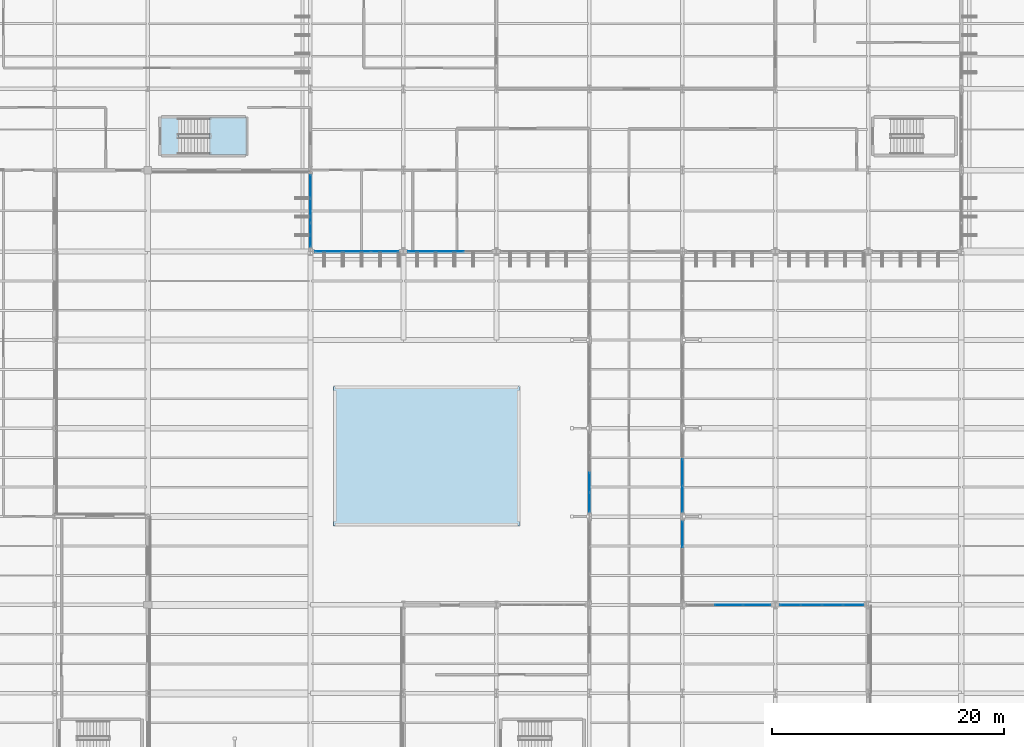
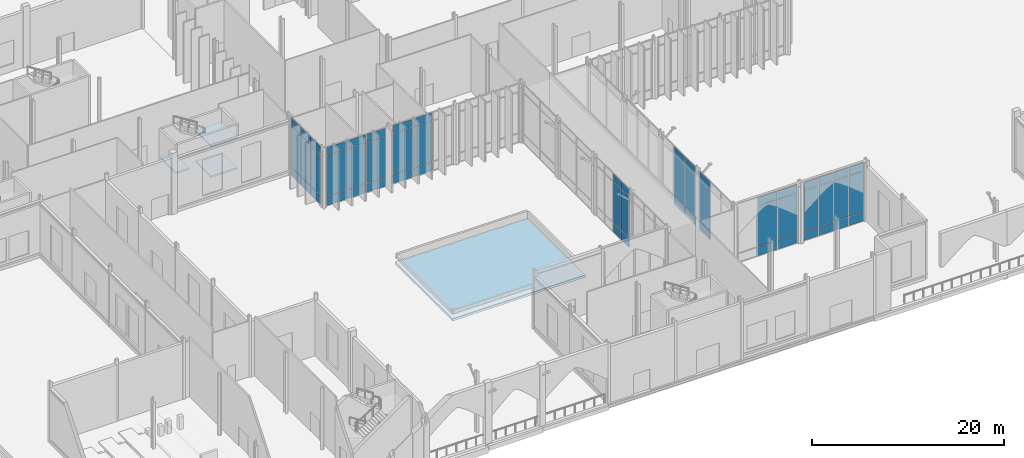
# One storey, part 117 of 176: 57 plates, 4 slabs, 9 elements without a shape of their own.
"""IFC4 building model written with IfcOpenShell, lengths in metres."""

import ifcopenshell
import ifcopenshell.guid

model = None  # the IFC model being written
_history = None  # IfcOwnerHistory: only IFC2X3 demands one
_inside = {}  # id of a spatial element -> (the spatial element, [elements in it])
_under = {}  # id of a project, library or spatial element -> (it, [spatial elements below it])
_declared = {}  # id of a project -> (the project, [libraries it declares])
_typed = {}  # id of a type object -> (the type object, [elements of that type])
_made_of = {}  # id of a material, layer set ... -> (it, [elements and type objects made of it])


def new_model(schema):
    """Start an empty IFC model of exactly this schema.

    Asked for "IFC4X3", IfcOpenShell would pick the latest addendum, in which some entities
    have other attributes; the version numbers below select the first issue.
    IFC2X3 requires an IfcOwnerHistory on every rooted entity: one is made here for all.
    """
    global model, _history
    if schema == "IFC4X3":
        model = ifcopenshell.file(schema_version=(4, 3, 0, 0))
    else:
        model = ifcopenshell.file(schema=schema)
    _inside.clear()
    _under.clear()
    _declared.clear()
    _typed.clear()
    _made_of.clear()
    _history = None
    if model.schema == "IFC2X3":
        org = make("IfcOrganization", Name="unknown")
        user = make(
            "IfcPersonAndOrganization",
            ThePerson=make("IfcPerson", FamilyName="unknown"),
            TheOrganization=org,
        )
        app = make(
            "IfcApplication",
            ApplicationDeveloper=org,
            Version="unknown",
            ApplicationFullName="unknown",
            ApplicationIdentifier="unknown",
        )
        _history = make(
            "IfcOwnerHistory",
            OwningUser=user,
            OwningApplication=app,
            ChangeAction="ADDED",
            CreationDate=0,
        )
    return model


def make(cls, **values):
    """One entity of the class cls with the attributes given. An attribute that is None is left unset."""
    return model.create_entity(
        cls, **{name: value for name, value in values.items() if value is not None}
    )


def rooted(cls, **values):
    """An entity with a GlobalId (a new one), such as an element, a storey or a relation."""
    return make(cls, GlobalId=ifcopenshell.guid.new(), OwnerHistory=_history, **values)


def si_unit(unit_type, name, prefix=None):
    """IfcSIUnit, for example si_unit("LENGTHUNIT", "METRE", prefix="MILLI")."""
    return make("IfcSIUnit", UnitType=unit_type, Prefix=prefix, Name=name)


def assignment(units):
    """IfcUnitAssignment: the units of a project."""
    return None if units is None else make("IfcUnitAssignment", Units=units)


def point(xyz):
    """IfcCartesianPoint."""
    return None if xyz is None else make("IfcCartesianPoint", Coordinates=xyz)


def direction(xyz):
    """IfcDirection."""
    return None if xyz is None else make("IfcDirection", DirectionRatios=xyz)


def frame(location, z_axis=None, x_axis=None):
    """IfcAxis2Placement3D, a coordinate frame: its origin and axes. An axis left out is left unset."""
    return make(
        "IfcAxis2Placement3D",
        Location=point(location),
        Axis=direction(z_axis),
        RefDirection=direction(x_axis),
    )


def frame_2d(location, x_axis=None):
    """IfcAxis2Placement2D, a coordinate frame in the plane: its origin and x axis."""
    return make(
        "IfcAxis2Placement2D", Location=point(location), RefDirection=direction(x_axis)
    )


def origin():
    """The frame at (0, 0, 0) with its axes left unset."""
    return frame((0.0, 0.0, 0.0))


def origin_2d():
    """The frame at (0, 0) in the plane with its x axis left unset."""
    return frame_2d((0.0, 0.0))


def place(relative_to, where):
    """IfcLocalPlacement: puts the frame where relative to a parent placement (None: the world)."""
    return make(
        "IfcLocalPlacement", PlacementRelTo=relative_to, RelativePlacement=where
    )


def context(
    kind, dimensions, precision=None, world=None, true_north=None, identifier=None
):
    """IfcGeometricRepresentationContext, for example the 3D "Model" context."""
    return make(
        "IfcGeometricRepresentationContext",
        ContextIdentifier=identifier,
        ContextType=kind,
        CoordinateSpaceDimension=dimensions,
        Precision=precision,
        WorldCoordinateSystem=world,
        TrueNorth=true_north,
    )


def subcontext(parent, identifier, kind, view, scale=None):
    """IfcGeometricRepresentationSubContext, for example "Body" below "Model"."""
    return make(
        "IfcGeometricRepresentationSubContext",
        ContextIdentifier=identifier,
        ContextType=kind,
        ParentContext=parent,
        TargetScale=scale,
        TargetView=view,
    )


def project(units=None, contexts=None):
    """IfcProject with its units and contexts."""
    return rooted(
        "IfcProject",
        Name="project",
        RepresentationContexts=contexts,
        UnitsInContext=assignment(units),
    )


def spatial(cls, under=None, at=None, **own):
    """A site, building, storey or space (cls), placed at a placement, below another one or the project."""
    s = rooted(cls, ObjectPlacement=at, **own)
    if under is not None:
        _under.setdefault(under.id(), (under, []))[1].append(s)
    return s


def polyline(points):
    """IfcPolyline through the points."""
    return make("IfcPolyline", Points=[point(p) for p in points])


def profile(cls, at=None, kind="AREA", **sizes):
    """A parametric profile (cls). Its sizes go by their IFC names, for example OverallWidth=200.0."""
    return make(cls, ProfileType=kind, Position=at, **sizes)


def rectangle(**sizes):
    """IfcRectangleProfileDef."""
    return profile("IfcRectangleProfileDef", **sizes)


def outline(outer, holes=None, kind="AREA"):
    """IfcArbitraryClosedProfileDef: a profile drawn as a closed curve; with holes, ...WithVoids."""
    if holes is None:
        return make("IfcArbitraryClosedProfileDef", ProfileType=kind, OuterCurve=outer)
    return make(
        "IfcArbitraryProfileDefWithVoids",
        ProfileType=kind,
        OuterCurve=outer,
        InnerCurves=holes,
    )


def extrude(swept, where, along, depth):
    """IfcExtrudedAreaSolid: the profile swept, set in the frame where, extruded along a direction by depth."""
    return make(
        "IfcExtrudedAreaSolid",
        SweptArea=swept,
        Position=where,
        ExtrudedDirection=direction(along),
        Depth=depth,
    )


def shape(context_of_items, identifier, shape_type, items):
    """IfcShapeRepresentation: the items that make up one representation, for example the "Body"."""
    return make(
        "IfcShapeRepresentation",
        ContextOfItems=context_of_items,
        RepresentationIdentifier=identifier,
        RepresentationType=shape_type,
        Items=items,
    )


def material(Name=None, Category=None):
    """IfcMaterial."""
    return make("IfcMaterial", Name=Name, Category=Category)


def layer(
    of_material, thickness, ventilated=None, Name=None, Category=None, Priority=None
):
    """IfcMaterialLayer: one layer of a wall or slab, of a material (None: an air gap)."""
    return make(
        "IfcMaterialLayer",
        Material=of_material,
        LayerThickness=thickness,
        IsVentilated=ventilated,
        Name=Name,
        Category=Category,
        Priority=Priority,
    )


def layer_set(layers, Name=None):
    """IfcMaterialLayerSet."""
    return make("IfcMaterialLayerSet", MaterialLayers=layers, LayerSetName=Name)


def made_of(thing, what):
    """Note that an element or type object is made of a material, layer set ...; save() writes the relation."""
    if what is not None:
        _made_of.setdefault(what.id(), (what, []))[1].append(thing)
    return thing


def type_object(cls, material=None, **own):
    """A type object (cls), such as IfcWallType, which elements share."""
    return made_of(rooted(cls, **own), material)


def element(
    cls,
    number,
    at=None,
    inside=None,
    cuts=None,
    type_object=None,
    material=None,
    context=None,
    identifier="Body",
    shape_type=None,
    held_by="IfcProductDefinitionShape",
    body=None,
    shapes=None,
    **own,
):
    """One element of the class cls, such as IfcWall. Its Tag is "e" and its number.

    at: its placement. inside: the storey or other place that contains it. cuts: it is an
    opening in that element (IfcRelVoidsElement). A single representation is given by context,
    identifier, shape_type and body (its items); several are given by shapes. held_by: the class
    of the entity that holds the representations. save() writes the other relations.
    """
    e = rooted(cls, Tag="e%d" % number, ObjectPlacement=at, **own)
    if body is not None:
        shapes = [shape(context, identifier, shape_type, body)]
    if shapes is not None:
        e.Representation = make(held_by, Representations=shapes)
    if inside is not None:
        _inside.setdefault(inside.id(), (inside, []))[1].append(e)
    if cuts is not None:
        rooted(
            "IfcRelVoidsElement", RelatingBuildingElement=cuts, RelatedOpeningElement=e
        )
    if type_object is not None:
        _typed.setdefault(type_object.id(), (type_object, []))[1].append(e)
    return made_of(e, material)


def aggregate(whole, parts):
    """IfcRelAggregates: a whole, such as a stair, and the parts it consists of."""
    return rooted("IfcRelAggregates", RelatingObject=whole, RelatedObjects=parts)


def save(model, path):
    """Write the relations noted so far, then the file.

    IfcRelAggregates (storeys below a building ...), IfcRelContainedInSpatialStructure (elements
    in a storey), IfcRelDefinesByType, IfcRelAssociatesMaterial and IfcRelDeclares: one each for
    every whole, place, type object, material and project.
    """
    for whole, parts in _under.values():
        aggregate(whole, parts)
    for where, things in _inside.values():
        rooted(
            "IfcRelContainedInSpatialStructure",
            RelatedElements=things,
            RelatingStructure=where,
        )
    for kind, things in _typed.values():
        rooted("IfcRelDefinesByType", RelatedObjects=things, RelatingType=kind)
    for what, things in _made_of.values():
        rooted("IfcRelAssociatesMaterial", RelatedObjects=things, RelatingMaterial=what)
    for by, libraries in _declared.values():
        rooted("IfcRelDeclares", RelatingContext=by, RelatedDefinitions=libraries)
    model.write(path)


model = new_model("IFC4")

# Units and contexts
model_context = context("Model", 3, precision=1e-05, world=origin(), true_north=direction((0.0, 1.0)))
body_context = subcontext(model_context, "Body", "Model", "MODEL_VIEW")
ifc_project = project(units=[si_unit("LENGTHUNIT", "METRE"), si_unit("AREAUNIT", "SQUARE_METRE"), si_unit("VOLUMEUNIT", "CUBIC_METRE"), si_unit("PLANEANGLEUNIT", "RADIAN"), si_unit("MASSUNIT", "GRAM", prefix="KILO")], contexts=[model_context])

# Site, building, storey
site_placement = place(None, origin())
site = spatial("IfcSite", under=ifc_project, at=site_placement, CompositionType="ELEMENT")
building_placement = place(site_placement, origin())
building = spatial("IfcBuilding", under=site, at=building_placement, Name="Vekula Escarpment Museum", CompositionType="ELEMENT")
storey_placement = place(building_placement, origin())
storey = spatial("IfcBuildingStorey", under=building, at=storey_placement, Name="L01", CompositionType="ELEMENT", Elevation=0.0)

# Curtain wall, plates
ifc_material_1 = material(Name="Aluminium thermally broken framing", Category="aluminium")
ifc_layer_1 = layer(ifc_material_1, 0.199951171875)
ifc_layer_set_1 = layer_set([ifc_layer_1], Name="Aluminium thermally broken framing")
curtain_wall_type_1 = type_object("IfcCurtainWallType", Name="CW-SYS-04", PredefinedType="NOTDEFINED", material=ifc_layer_set_1)
curtain_wall_1_placement = place(storey_placement, origin())
curtain_wall_1 = element("IfcCurtainWall", 1, at=curtain_wall_1_placement, inside=storey, type_object=curtain_wall_type_1, Name="Curtain Wall CW-L01-004", PredefinedType="NOTDEFINED")
ifc_material_2 = material(Name="Double solar-control low-E glass", Category="glass")
ifc_layer_2 = layer(ifc_material_2, 0.028076171875)
ifc_layer_set_2 = layer_set([ifc_layer_2], Name="Double solar-control low-E glass")
plate_type_1 = type_object("IfcPlateType", Name="CW-PNL-28", PredefinedType="CURTAIN_PANEL", material=ifc_layer_set_2)
plate_1_placement = place(storey_placement, frame((102.0, 24.322998046875, 0.06494140625), z_axis=(0.0, 0.0, 1.0), x_axis=(0.0, 1.0, 0.0)))
plate_1 = element("IfcPlate", 2, at=plate_1_placement, type_object=plate_type_1, Name="CW-04 panel 1.1", PredefinedType="CURTAIN_PANEL", context=body_context, shape_type="SweptSolid", body=[
    extrude(rectangle(XDim=2.19580078125, YDim=0.028076171875, at=origin_2d()), origin(), (0.0, 0.0, 1.0), 1.1025390625),
])
plate_2_placement = place(storey_placement, frame((102.0, 24.322998046875, 1.232421875), z_axis=(0.0, 0.0, 1.0), x_axis=(0.0, 1.0, 0.0)))
plate_2 = element("IfcPlate", 3, at=plate_2_placement, type_object=plate_type_1, Name="CW-04 panel 1.2", PredefinedType="CURTAIN_PANEL", context=body_context, shape_type="SweptSolid", body=[
    extrude(rectangle(XDim=2.19580078125, YDim=0.028076171875, at=origin_2d()), origin(), (0.0, 0.0, 1.0), 5.175048828125),
])
plate_3_placement = place(storey_placement, frame((102.0, 24.322998046875, 6.472412109375), z_axis=(0.0, 0.0, 1.0), x_axis=(0.0, 1.0, 0.0)))
plate_3 = element("IfcPlate", 4, at=plate_3_placement, type_object=plate_type_1, Name="CW-04 panel 1.3", PredefinedType="CURTAIN_PANEL", context=body_context, shape_type="SweptSolid", body=[
    extrude(rectangle(XDim=2.19580078125, YDim=0.028076171875, at=origin_2d()), origin(), (0.0, 0.0, 1.0), 1.00244140625),
])
plate_4_placement = place(storey_placement, frame((102.0, 26.60009765625, 0.06494140625), z_axis=(0.0, 0.0, 1.0), x_axis=(0.0, 1.0, 0.0)))
plate_4 = element("IfcPlate", 5, at=plate_4_placement, type_object=plate_type_1, Name="CW-04 panel 2.1", PredefinedType="CURTAIN_PANEL", context=body_context, shape_type="SweptSolid", body=[
    extrude(rectangle(XDim=2.228271484375, YDim=0.028076171875, at=origin_2d()), origin(), (0.0, 0.0, 1.0), 1.1025390625),
])
plate_5_placement = place(storey_placement, frame((102.0, 26.60009765625, 1.232421875), z_axis=(0.0, 0.0, 1.0), x_axis=(0.0, 1.0, 0.0)))
plate_5 = element("IfcPlate", 6, at=plate_5_placement, type_object=plate_type_1, Name="CW-04 panel 2.2", PredefinedType="CURTAIN_PANEL", context=body_context, shape_type="SweptSolid", body=[
    extrude(rectangle(XDim=2.228271484375, YDim=0.028076171875, at=origin_2d()), origin(), (0.0, 0.0, 1.0), 5.175048828125),
])
plate_6_placement = place(storey_placement, frame((102.0, 26.60009765625, 6.472412109375), z_axis=(0.0, 0.0, 1.0), x_axis=(0.0, 1.0, 0.0)))
plate_6 = element("IfcPlate", 7, at=plate_6_placement, type_object=plate_type_1, Name="CW-04 panel 2.3", PredefinedType="CURTAIN_PANEL", context=body_context, shape_type="SweptSolid", body=[
    extrude(rectangle(XDim=2.228271484375, YDim=0.028076171875, at=origin_2d()), origin(), (0.0, 0.0, 1.0), 1.00244140625),
])
aggregate(curtain_wall_1, [plate_1, plate_2, plate_3, plate_4, plate_5, plate_6])

curtain_wall_2_placement = place(storey_placement, origin())
curtain_wall_2 = element("IfcCurtainWall", 8, at=curtain_wall_2_placement, inside=storey, type_object=curtain_wall_type_1, Name="Curtain Wall CW-L01-044", PredefinedType="NOTDEFINED")
plate_7_placement = place(storey_placement, frame((71.589599609375, 45.60009765625, 0.06494140625), z_axis=(0.0, 0.0, 1.0), x_axis=(1.0, 0.0, 0.0)))
plate_7 = element("IfcPlate", 9, at=plate_7_placement, type_object=plate_type_1, Name="CW-04 panel 1.1", PredefinedType="CURTAIN_PANEL", context=body_context, shape_type="SweptSolid", body=[
    extrude(rectangle(XDim=2.3291015625, YDim=0.028076171875, at=origin_2d()), origin(), (0.0, 0.0, 1.0), 1.1025390625),
])
plate_8_placement = place(storey_placement, frame((71.589599609375, 45.60009765625, 1.232421875), z_axis=(0.0, 0.0, 1.0), x_axis=(1.0, 0.0, 0.0)))
plate_8 = element("IfcPlate", 10, at=plate_8_placement, type_object=plate_type_1, Name="CW-04 panel 1.2", PredefinedType="CURTAIN_PANEL", context=body_context, shape_type="SweptSolid", body=[
    extrude(rectangle(XDim=2.3291015625, YDim=0.028076171875, at=origin_2d()), origin(), (0.0, 0.0, 1.0), 5.175048828125),
])
plate_9_placement = place(storey_placement, frame((71.589599609375, 45.60009765625, 6.472412109375), z_axis=(0.0, 0.0, 1.0), x_axis=(1.0, 0.0, 0.0)))
plate_9 = element("IfcPlate", 11, at=plate_9_placement, type_object=plate_type_1, Name="CW-04 panel 1.3", PredefinedType="CURTAIN_PANEL", context=body_context, shape_type="SweptSolid", body=[
    extrude(rectangle(XDim=2.3291015625, YDim=0.028076171875, at=origin_2d()), origin(), (0.0, 0.0, 1.0), 1.00244140625),
])
plate_10_placement = place(storey_placement, frame((74.0, 45.60009765625, 0.06494140625), z_axis=(0.0, 0.0, 1.0), x_axis=(1.0, 0.0, 0.0)))
plate_10 = element("IfcPlate", 12, at=plate_10_placement, type_object=plate_type_1, Name="CW-04 panel 2.1", PredefinedType="CURTAIN_PANEL", context=body_context, shape_type="SweptSolid", body=[
    extrude(rectangle(XDim=2.361572265625, YDim=0.028076171875, at=origin_2d()), origin(), (0.0, 0.0, 1.0), 1.1025390625),
])
plate_11_placement = place(storey_placement, frame((74.0, 45.60009765625, 1.232421875), z_axis=(0.0, 0.0, 1.0), x_axis=(1.0, 0.0, 0.0)))
plate_11 = element("IfcPlate", 13, at=plate_11_placement, type_object=plate_type_1, Name="CW-04 panel 2.2", PredefinedType="CURTAIN_PANEL", context=body_context, shape_type="SweptSolid", body=[
    extrude(rectangle(XDim=2.361572265625, YDim=0.028076171875, at=origin_2d()), origin(), (0.0, 0.0, 1.0), 5.175048828125),
])
plate_12_placement = place(storey_placement, frame((74.0, 45.60009765625, 6.472412109375), z_axis=(0.0, 0.0, 1.0), x_axis=(1.0, 0.0, 0.0)))
plate_12 = element("IfcPlate", 14, at=plate_12_placement, type_object=plate_type_1, Name="CW-04 panel 2.3", PredefinedType="CURTAIN_PANEL", context=body_context, shape_type="SweptSolid", body=[
    extrude(rectangle(XDim=2.361572265625, YDim=0.028076171875, at=origin_2d()), origin(), (0.0, 0.0, 1.0), 1.00244140625),
])
plate_13_placement = place(storey_placement, frame((76.410400390625, 45.60009765625, 0.06494140625), z_axis=(0.0, 0.0, 1.0), x_axis=(1.0, 0.0, 0.0)))
plate_13 = element("IfcPlate", 15, at=plate_13_placement, type_object=plate_type_1, Name="CW-04 panel 3.1", PredefinedType="CURTAIN_PANEL", context=body_context, shape_type="SweptSolid", body=[
    extrude(rectangle(XDim=2.3291015625, YDim=0.028076171875, at=origin_2d()), origin(), (0.0, 0.0, 1.0), 1.1025390625),
])
plate_14_placement = place(storey_placement, frame((76.410400390625, 45.60009765625, 1.232421875), z_axis=(0.0, 0.0, 1.0), x_axis=(1.0, 0.0, 0.0)))
plate_14 = element("IfcPlate", 16, at=plate_14_placement, type_object=plate_type_1, Name="CW-04 panel 3.2", PredefinedType="CURTAIN_PANEL", context=body_context, shape_type="SweptSolid", body=[
    extrude(rectangle(XDim=2.3291015625, YDim=0.028076171875, at=origin_2d()), origin(), (0.0, 0.0, 1.0), 5.175048828125),
])
plate_15_placement = place(storey_placement, frame((76.410400390625, 45.60009765625, 6.472412109375), z_axis=(0.0, 0.0, 1.0), x_axis=(1.0, 0.0, 0.0)))
plate_15 = element("IfcPlate", 17, at=plate_15_placement, type_object=plate_type_1, Name="CW-04 panel 3.3", PredefinedType="CURTAIN_PANEL", context=body_context, shape_type="SweptSolid", body=[
    extrude(rectangle(XDim=2.3291015625, YDim=0.028076171875, at=origin_2d()), origin(), (0.0, 0.0, 1.0), 1.00244140625),
])
aggregate(curtain_wall_2, [plate_7, plate_8, plate_9, plate_10, plate_11, plate_12, plate_13, plate_14, plate_15])

ifc_material_3 = material(Name="Aluminium thermally broken framing", Category="aluminium")
ifc_layer_3 = layer(ifc_material_3, 0.159912109375)
ifc_layer_set_3 = layer_set([ifc_layer_3], Name="Aluminium thermally broken framing")
curtain_wall_type_2 = type_object("IfcCurtainWallType", Name="CW-SYS-01", PredefinedType="NOTDEFINED", material=ifc_layer_set_3)
curtain_wall_3_placement = place(storey_placement, origin())
curtain_wall_3 = element("IfcCurtainWall", 18, at=curtain_wall_3_placement, inside=storey, type_object=curtain_wall_type_2, Name="Curtain Wall CW-L01-001", PredefinedType="NOTDEFINED")
ifc_material_4 = material(Name="Acoustic laminated double low-E glass", Category="glass")
ifc_layer_4 = layer(ifc_material_4, 0.031982421875)
ifc_layer_set_4 = layer_set([ifc_layer_4], Name="Acoustic laminated double low-E glass")
plate_type_2 = type_object("IfcPlateType", Name="CW-PNL-32", PredefinedType="CURTAIN_PANEL", material=ifc_layer_set_4)
plate_16_placement = place(storey_placement, frame((116.7138671875, 15.199951171875, 0.06494140625), z_axis=(0.0, 0.0, 1.0), x_axis=(-1.0, 0.0, 0.0)))
plate_16 = element("IfcPlate", 19, at=plate_16_placement, type_object=plate_type_2, Name="CW-01 panel 1.1", PredefinedType="CURTAIN_PANEL", context=body_context, shape_type="SweptSolid", body=[
    extrude(rectangle(XDim=1.722412109375, YDim=0.031982421875, at=origin_2d()), origin(), (0.0, 0.0, 1.0), 1.1025390625),
])
plate_17_placement = place(storey_placement, frame((116.7138671875, 15.199951171875, 1.232421875), z_axis=(0.0, 0.0, 1.0), x_axis=(-1.0, 0.0, 0.0)))
plate_17 = element("IfcPlate", 20, at=plate_17_placement, type_object=plate_type_2, Name="CW-01 panel 1.2", PredefinedType="CURTAIN_PANEL", context=body_context, shape_type="SweptSolid", body=[
    extrude(rectangle(XDim=1.722412109375, YDim=0.031982421875, at=origin_2d()), origin(), (0.0, 0.0, 1.0), 5.175048828125),
])
plate_18_placement = place(storey_placement, frame((116.7138671875, 15.199951171875, 6.472412109375), z_axis=(0.0, 0.0, 1.0), x_axis=(-1.0, 0.0, 0.0)))
plate_18 = element("IfcPlate", 21, at=plate_18_placement, type_object=plate_type_2, Name="CW-01 panel 1.3", PredefinedType="CURTAIN_PANEL", context=body_context, shape_type="SweptSolid", body=[
    extrude(rectangle(XDim=1.722412109375, YDim=0.031982421875, at=origin_2d()), origin(), (0.0, 0.0, 1.0), 1.00244140625),
])
plate_19_placement = place(storey_placement, frame((114.909912109375, 15.199951171875, 0.06494140625), z_axis=(0.0, 0.0, 1.0), x_axis=(-1.0, 0.0, 0.0)))
plate_19 = element("IfcPlate", 22, at=plate_19_placement, type_object=plate_type_2, Name="CW-01 panel 2.1", PredefinedType="CURTAIN_PANEL", context=body_context, shape_type="SweptSolid", body=[
    extrude(rectangle(XDim=1.7548828125, YDim=0.031982421875, at=origin_2d()), origin(), (0.0, 0.0, 1.0), 1.1025390625),
])
plate_20_placement = place(storey_placement, frame((114.909912109375, 15.199951171875, 1.232421875), z_axis=(0.0, 0.0, 1.0), x_axis=(-1.0, 0.0, 0.0)))
plate_20 = element("IfcPlate", 23, at=plate_20_placement, type_object=plate_type_2, Name="CW-01 panel 2.2", PredefinedType="CURTAIN_PANEL", context=body_context, shape_type="SweptSolid", body=[
    extrude(rectangle(XDim=1.7548828125, YDim=0.031982421875, at=origin_2d()), origin(), (0.0, 0.0, 1.0), 5.175048828125),
])
plate_21_placement = place(storey_placement, frame((114.909912109375, 15.199951171875, 6.472412109375), z_axis=(0.0, 0.0, 1.0), x_axis=(-1.0, 0.0, 0.0)))
plate_21 = element("IfcPlate", 24, at=plate_21_placement, type_object=plate_type_2, Name="CW-01 panel 2.3", PredefinedType="CURTAIN_PANEL", context=body_context, shape_type="SweptSolid", body=[
    extrude(rectangle(XDim=1.7548828125, YDim=0.031982421875, at=origin_2d()), origin(), (0.0, 0.0, 1.0), 1.00244140625),
])
plate_22_placement = place(storey_placement, frame((113.090087890625, 15.199951171875, 0.06494140625), z_axis=(0.0, 0.0, 1.0), x_axis=(-1.0, 0.0, 0.0)))
plate_22 = element("IfcPlate", 25, at=plate_22_placement, type_object=plate_type_2, Name="CW-01 panel 3.1", PredefinedType="CURTAIN_PANEL", context=body_context, shape_type="SweptSolid", body=[
    extrude(rectangle(XDim=1.7548828125, YDim=0.031982421875, at=origin_2d()), origin(), (0.0, 0.0, 1.0), 1.1025390625),
])
plate_23_placement = place(storey_placement, frame((113.090087890625, 15.199951171875, 1.232421875), z_axis=(0.0, 0.0, 1.0), x_axis=(-1.0, 0.0, 0.0)))
plate_23 = element("IfcPlate", 26, at=plate_23_placement, type_object=plate_type_2, Name="CW-01 panel 3.2", PredefinedType="CURTAIN_PANEL", context=body_context, shape_type="SweptSolid", body=[
    extrude(rectangle(XDim=1.7548828125, YDim=0.031982421875, at=origin_2d()), origin(), (0.0, 0.0, 1.0), 5.175048828125),
])
plate_24_placement = place(storey_placement, frame((113.090087890625, 15.199951171875, 6.472412109375), z_axis=(0.0, 0.0, 1.0), x_axis=(-1.0, 0.0, 0.0)))
plate_24 = element("IfcPlate", 27, at=plate_24_placement, type_object=plate_type_2, Name="CW-01 panel 3.3", PredefinedType="CURTAIN_PANEL", context=body_context, shape_type="SweptSolid", body=[
    extrude(rectangle(XDim=1.7548828125, YDim=0.031982421875, at=origin_2d()), origin(), (0.0, 0.0, 1.0), 1.00244140625),
])
plate_25_placement = place(storey_placement, frame((111.2861328125, 15.199951171875, 0.06494140625), z_axis=(0.0, 0.0, 1.0), x_axis=(-1.0, 0.0, 0.0)))
plate_25 = element("IfcPlate", 28, at=plate_25_placement, type_object=plate_type_2, Name="CW-01 panel 4.1", PredefinedType="CURTAIN_PANEL", context=body_context, shape_type="SweptSolid", body=[
    extrude(rectangle(XDim=1.722412109375, YDim=0.031982421875, at=origin_2d()), origin(), (0.0, 0.0, 1.0), 1.1025390625),
])
plate_26_placement = place(storey_placement, frame((111.2861328125, 15.199951171875, 1.232421875), z_axis=(0.0, 0.0, 1.0), x_axis=(-1.0, 0.0, 0.0)))
plate_26 = element("IfcPlate", 29, at=plate_26_placement, type_object=plate_type_2, Name="CW-01 panel 4.2", PredefinedType="CURTAIN_PANEL", context=body_context, shape_type="SweptSolid", body=[
    extrude(rectangle(XDim=1.722412109375, YDim=0.031982421875, at=origin_2d()), origin(), (0.0, 0.0, 1.0), 5.175048828125),
])
plate_27_placement = place(storey_placement, frame((111.2861328125, 15.199951171875, 6.472412109375), z_axis=(0.0, 0.0, 1.0), x_axis=(-1.0, 0.0, 0.0)))
plate_27 = element("IfcPlate", 30, at=plate_27_placement, type_object=plate_type_2, Name="CW-01 panel 4.3", PredefinedType="CURTAIN_PANEL", context=body_context, shape_type="SweptSolid", body=[
    extrude(rectangle(XDim=1.722412109375, YDim=0.031982421875, at=origin_2d()), origin(), (0.0, 0.0, 1.0), 1.00244140625),
])
aggregate(curtain_wall_3, [plate_16, plate_17, plate_18, plate_19, plate_20, plate_21, plate_22, plate_23, plate_24, plate_25, plate_26, plate_27])

ifc_material_5 = material(Name="Aluminium thermally broken framing", Category="aluminium")
ifc_layer_5 = layer(ifc_material_5, 0.159912109375)
ifc_layer_set_5 = layer_set([ifc_layer_5], Name="Aluminium thermally broken framing")
curtain_wall_type_3 = type_object("IfcCurtainWallType", Name="CW-SYS-05", PredefinedType="NOTDEFINED", material=ifc_layer_set_5)
curtain_wall_4_placement = place(storey_placement, origin())
curtain_wall_4 = element("IfcCurtainWall", 31, at=curtain_wall_4_placement, inside=storey, type_object=curtain_wall_type_3, Name="Curtain Wall CW-L01-045", PredefinedType="NOTDEFINED")
plate_28_placement = place(storey_placement, frame((79.589599609375, 45.60009765625, 0.06494140625), z_axis=(0.0, 0.0, 1.0), x_axis=(1.0, 0.0, 0.0)))
plate_28 = element("IfcPlate", 32, at=plate_28_placement, type_object=plate_type_2, Name="CW-05 panel 1.1", PredefinedType="CURTAIN_PANEL", context=body_context, shape_type="SweptSolid", body=[
    extrude(rectangle(XDim=2.3291015625, YDim=0.031982421875, at=origin_2d()), origin(), (0.0, 0.0, 1.0), 1.1025390625),
])
plate_29_placement = place(storey_placement, frame((79.589599609375, 45.60009765625, 1.232421875), z_axis=(0.0, 0.0, 1.0), x_axis=(1.0, 0.0, 0.0)))
plate_29 = element("IfcPlate", 33, at=plate_29_placement, type_object=plate_type_2, Name="CW-05 panel 1.2", PredefinedType="CURTAIN_PANEL", context=body_context, shape_type="SweptSolid", body=[
    extrude(rectangle(XDim=2.3291015625, YDim=0.031982421875, at=origin_2d()), origin(), (0.0, 0.0, 1.0), 5.175048828125),
])
plate_30_placement = place(storey_placement, frame((79.589599609375, 45.60009765625, 6.472412109375), z_axis=(0.0, 0.0, 1.0), x_axis=(1.0, 0.0, 0.0)))
plate_30 = element("IfcPlate", 34, at=plate_30_placement, type_object=plate_type_2, Name="CW-05 panel 1.3", PredefinedType="CURTAIN_PANEL", context=body_context, shape_type="SweptSolid", body=[
    extrude(rectangle(XDim=2.3291015625, YDim=0.031982421875, at=origin_2d()), origin(), (0.0, 0.0, 1.0), 1.00244140625),
])
plate_31_placement = place(storey_placement, frame((82.0, 45.60009765625, 0.06494140625), z_axis=(0.0, 0.0, 1.0), x_axis=(1.0, 0.0, 0.0)))
plate_31 = element("IfcPlate", 35, at=plate_31_placement, type_object=plate_type_2, Name="CW-05 panel 2.1", PredefinedType="CURTAIN_PANEL", context=body_context, shape_type="SweptSolid", body=[
    extrude(rectangle(XDim=2.361572265625, YDim=0.031982421875, at=origin_2d()), origin(), (0.0, 0.0, 1.0), 1.1025390625),
])
plate_32_placement = place(storey_placement, frame((82.0, 45.60009765625, 1.232421875), z_axis=(0.0, 0.0, 1.0), x_axis=(1.0, 0.0, 0.0)))
plate_32 = element("IfcPlate", 36, at=plate_32_placement, type_object=plate_type_2, Name="CW-05 panel 2.2", PredefinedType="CURTAIN_PANEL", context=body_context, shape_type="SweptSolid", body=[
    extrude(rectangle(XDim=2.361572265625, YDim=0.031982421875, at=origin_2d()), origin(), (0.0, 0.0, 1.0), 5.175048828125),
])
plate_33_placement = place(storey_placement, frame((82.0, 45.60009765625, 6.472412109375), z_axis=(0.0, 0.0, 1.0), x_axis=(1.0, 0.0, 0.0)))
plate_33 = element("IfcPlate", 37, at=plate_33_placement, type_object=plate_type_2, Name="CW-05 panel 2.3", PredefinedType="CURTAIN_PANEL", context=body_context, shape_type="SweptSolid", body=[
    extrude(rectangle(XDim=2.361572265625, YDim=0.031982421875, at=origin_2d()), origin(), (0.0, 0.0, 1.0), 1.00244140625),
])
aggregate(curtain_wall_4, [plate_28, plate_29, plate_30, plate_31, plate_32, plate_33])

ifc_material_6 = material(Name="Aluminium thermally broken framing", Category="aluminium")
ifc_layer_6 = layer(ifc_material_6, 0.14990234375)
ifc_layer_set_6 = layer_set([ifc_layer_6], Name="Aluminium thermally broken framing")
curtain_wall_type_4 = type_object("IfcCurtainWallType", Name="CW-SYS-09", PredefinedType="NOTDEFINED", material=ifc_layer_set_6)
curtain_wall_5_placement = place(storey_placement, origin())
curtain_wall_5 = element("IfcCurtainWall", 38, at=curtain_wall_5_placement, inside=storey, type_object=curtain_wall_type_4, Name="Curtain Wall CW-L01-049", PredefinedType="NOTDEFINED")
plate_34_placement = place(storey_placement, frame((94.0, 25.739990234375, 0.06494140625), z_axis=(0.0, 0.0, 1.0), x_axis=(0.0, -1.0, 0.0)))
plate_34 = element("IfcPlate", 39, at=plate_34_placement, type_object=plate_type_2, Name="CW-09 panel 3.1", PredefinedType="CURTAIN_PANEL", context=body_context, shape_type="SweptSolid", body=[
    extrude(rectangle(XDim=1.655029296875, YDim=0.031982421875, at=origin_2d()), origin(), (0.0, 0.0, 1.0), 1.1025390625),
])
plate_35_placement = place(storey_placement, frame((94.0, 25.739990234375, 1.232421875), z_axis=(0.0, 0.0, 1.0), x_axis=(0.0, -1.0, 0.0)))
plate_35 = element("IfcPlate", 40, at=plate_35_placement, type_object=plate_type_2, Name="CW-09 panel 3.2", PredefinedType="CURTAIN_PANEL", context=body_context, shape_type="SweptSolid", body=[
    extrude(rectangle(XDim=1.655029296875, YDim=0.031982421875, at=origin_2d()), origin(), (0.0, 0.0, 1.0), 5.175048828125),
])
plate_36_placement = place(storey_placement, frame((94.0, 25.739990234375, 6.472412109375), z_axis=(0.0, 0.0, 1.0), x_axis=(0.0, -1.0, 0.0)))
plate_36 = element("IfcPlate", 41, at=plate_36_placement, type_object=plate_type_2, Name="CW-09 panel 3.3", PredefinedType="CURTAIN_PANEL", context=body_context, shape_type="SweptSolid", body=[
    extrude(rectangle(XDim=1.655029296875, YDim=0.031982421875, at=origin_2d()), origin(), (0.0, 0.0, 1.0), 1.00244140625),
])
plate_37_placement = place(storey_placement, frame((94.0, 24.0361328125, 0.06494140625), z_axis=(0.0, 0.0, 1.0), x_axis=(0.0, -1.0, 0.0)))
plate_37 = element("IfcPlate", 42, at=plate_37_placement, type_object=plate_type_2, Name="CW-09 panel 4.1", PredefinedType="CURTAIN_PANEL", context=body_context, shape_type="SweptSolid", body=[
    extrude(rectangle(XDim=1.62255859375, YDim=0.031982421875, at=origin_2d()), origin(), (0.0, 0.0, 1.0), 1.1025390625),
])
plate_38_placement = place(storey_placement, frame((94.0, 24.0361328125, 1.232421875), z_axis=(0.0, 0.0, 1.0), x_axis=(0.0, -1.0, 0.0)))
plate_38 = element("IfcPlate", 43, at=plate_38_placement, type_object=plate_type_2, Name="CW-09 panel 4.2", PredefinedType="CURTAIN_PANEL", context=body_context, shape_type="SweptSolid", body=[
    extrude(rectangle(XDim=1.62255859375, YDim=0.031982421875, at=origin_2d()), origin(), (0.0, 0.0, 1.0), 5.175048828125),
])
plate_39_placement = place(storey_placement, frame((94.0, 24.0361328125, 6.472412109375), z_axis=(0.0, 0.0, 1.0), x_axis=(0.0, -1.0, 0.0)))
plate_39 = element("IfcPlate", 44, at=plate_39_placement, type_object=plate_type_2, Name="CW-09 panel 4.3", PredefinedType="CURTAIN_PANEL", context=body_context, shape_type="SweptSolid", body=[
    extrude(rectangle(XDim=1.62255859375, YDim=0.031982421875, at=origin_2d()), origin(), (0.0, 0.0, 1.0), 1.00244140625),
])
aggregate(curtain_wall_5, [plate_34, plate_35, plate_36, plate_37, plate_38, plate_39])

ifc_material_7 = material(Name="Aluminium thermally broken framing", Category="aluminium")
ifc_layer_7 = layer(ifc_material_7, 0.159912109375)
ifc_layer_set_7 = layer_set([ifc_layer_7], Name="Aluminium thermally broken framing")
curtain_wall_type_5 = type_object("IfcCurtainWallType", Name="CW-SYS-02", PredefinedType="NOTDEFINED", material=ifc_layer_set_7)
curtain_wall_6_placement = place(storey_placement, origin())
curtain_wall_6 = element("IfcCurtainWall", 45, at=curtain_wall_6_placement, inside=storey, type_object=curtain_wall_type_5, Name="Curtain Wall CW-L01-002", PredefinedType="NOTDEFINED")
ifc_material_8 = material(Name="Triple UV-filtered museum gallery glass", Category="glass")
ifc_layer_8 = layer(ifc_material_8, 0.035888671875)
ifc_layer_set_8 = layer_set([ifc_layer_8], Name="Triple UV-filtered museum gallery glass")
plate_type_3 = type_object("IfcPlateType", Name="CW-PNL-36", PredefinedType="CURTAIN_PANEL", material=ifc_layer_set_8)
plate_40_placement = place(storey_placement, frame((108.410400390625, 15.199951171875, 0.06494140625), z_axis=(0.0, 0.0, 1.0), x_axis=(-1.0, 0.0, 0.0)))
plate_40 = element("IfcPlate", 46, at=plate_40_placement, type_object=plate_type_3, Name="CW-02 panel 1.1", PredefinedType="CURTAIN_PANEL", context=body_context, shape_type="SweptSolid", body=[
    extrude(rectangle(XDim=2.3291015625, YDim=0.035888671875, at=origin_2d()), origin(), (0.0, 0.0, 1.0), 1.1025390625),
])
plate_41_placement = place(storey_placement, frame((108.410400390625, 15.199951171875, 1.232421875), z_axis=(0.0, 0.0, 1.0), x_axis=(-1.0, 0.0, 0.0)))
plate_41 = element("IfcPlate", 47, at=plate_41_placement, type_object=plate_type_3, Name="CW-02 panel 1.2", PredefinedType="CURTAIN_PANEL", context=body_context, shape_type="SweptSolid", body=[
    extrude(rectangle(XDim=2.3291015625, YDim=0.035888671875, at=origin_2d()), origin(), (0.0, 0.0, 1.0), 5.175048828125),
])
plate_42_placement = place(storey_placement, frame((108.410400390625, 15.199951171875, 6.472412109375), z_axis=(0.0, 0.0, 1.0), x_axis=(-1.0, 0.0, 0.0)))
plate_42 = element("IfcPlate", 48, at=plate_42_placement, type_object=plate_type_3, Name="CW-02 panel 1.3", PredefinedType="CURTAIN_PANEL", context=body_context, shape_type="SweptSolid", body=[
    extrude(rectangle(XDim=2.3291015625, YDim=0.035888671875, at=origin_2d()), origin(), (0.0, 0.0, 1.0), 1.00244140625),
])
plate_43_placement = place(storey_placement, frame((106.0, 15.199951171875, 0.06494140625), z_axis=(0.0, 0.0, 1.0), x_axis=(-1.0, 0.0, 0.0)))
plate_43 = element("IfcPlate", 49, at=plate_43_placement, type_object=plate_type_3, Name="CW-02 panel 2.1", PredefinedType="CURTAIN_PANEL", context=body_context, shape_type="SweptSolid", body=[
    extrude(rectangle(XDim=2.361572265625, YDim=0.035888671875, at=origin_2d()), origin(), (0.0, 0.0, 1.0), 1.1025390625),
])
plate_44_placement = place(storey_placement, frame((106.0, 15.199951171875, 1.232421875), z_axis=(0.0, 0.0, 1.0), x_axis=(-1.0, 0.0, 0.0)))
plate_44 = element("IfcPlate", 50, at=plate_44_placement, type_object=plate_type_3, Name="CW-02 panel 2.2", PredefinedType="CURTAIN_PANEL", context=body_context, shape_type="SweptSolid", body=[
    extrude(rectangle(XDim=2.361572265625, YDim=0.035888671875, at=origin_2d()), origin(), (0.0, 0.0, 1.0), 5.175048828125),
])
plate_45_placement = place(storey_placement, frame((106.0, 15.199951171875, 6.472412109375), z_axis=(0.0, 0.0, 1.0), x_axis=(-1.0, 0.0, 0.0)))
plate_45 = element("IfcPlate", 51, at=plate_45_placement, type_object=plate_type_3, Name="CW-02 panel 2.3", PredefinedType="CURTAIN_PANEL", context=body_context, shape_type="SweptSolid", body=[
    extrude(rectangle(XDim=2.361572265625, YDim=0.035888671875, at=origin_2d()), origin(), (0.0, 0.0, 1.0), 1.00244140625),
])
aggregate(curtain_wall_6, [plate_40, plate_41, plate_42, plate_43, plate_44, plate_45])

ifc_material_9 = material(Name="Aluminium thermally broken framing", Category="aluminium")
ifc_layer_9 = layer(ifc_material_9, 0.199951171875)
ifc_layer_set_9 = layer_set([ifc_layer_9], Name="Aluminium thermally broken framing")
curtain_wall_type_6 = type_object("IfcCurtainWallType", Name="CW-SYS-03", PredefinedType="NOTDEFINED", material=ifc_layer_set_9)
curtain_wall_7_placement = place(storey_placement, origin())
curtain_wall_7 = element("IfcCurtainWall", 52, at=curtain_wall_7_placement, inside=storey, type_object=curtain_wall_type_6, Name="Curtain Wall CW-L01-003", PredefinedType="NOTDEFINED")
ifc_material_10 = material(Name="Insulated bronze spandrel glass panel", Category="glass")
ifc_layer_10 = layer(ifc_material_10, 0.0400390625)
ifc_layer_set_10 = layer_set([ifc_layer_10], Name="Insulated bronze spandrel glass panel")
plate_type_4 = type_object("IfcPlateType", Name="CW-PNL-40", PredefinedType="CURTAIN_PANEL", material=ifc_layer_set_10)
plate_46_placement = place(storey_placement, frame((102.0, 21.277099609375, 0.06494140625), z_axis=(0.0, 0.0, 1.0), x_axis=(0.0, 1.0, 0.0)))
plate_46 = element("IfcPlate", 53, at=plate_46_placement, type_object=plate_type_4, Name="CW-03 panel 3.1", PredefinedType="CURTAIN_PANEL", context=body_context, shape_type="SweptSolid", body=[
    extrude(rectangle(XDim=2.19580078125, YDim=0.0400390625, at=origin_2d()), origin(), (0.0, 0.0, 1.0), 1.1025390625),
])
plate_47_placement = place(storey_placement, frame((102.0, 21.277099609375, 1.232421875), z_axis=(0.0, 0.0, 1.0), x_axis=(0.0, 1.0, 0.0)))
plate_47 = element("IfcPlate", 54, at=plate_47_placement, type_object=plate_type_4, Name="CW-03 panel 3.2", PredefinedType="CURTAIN_PANEL", context=body_context, shape_type="SweptSolid", body=[
    extrude(rectangle(XDim=2.19580078125, YDim=0.0400390625, at=origin_2d()), origin(), (0.0, 0.0, 1.0), 5.175048828125),
])
plate_48_placement = place(storey_placement, frame((102.0, 21.277099609375, 6.472412109375), z_axis=(0.0, 0.0, 1.0), x_axis=(0.0, 1.0, 0.0)))
plate_48 = element("IfcPlate", 55, at=plate_48_placement, type_object=plate_type_4, Name="CW-03 panel 3.3", PredefinedType="CURTAIN_PANEL", context=body_context, shape_type="SweptSolid", body=[
    extrude(rectangle(XDim=2.19580078125, YDim=0.0400390625, at=origin_2d()), origin(), (0.0, 0.0, 1.0), 1.00244140625),
])
aggregate(curtain_wall_7, [plate_46, plate_47, plate_48])

curtain_wall_8_placement = place(storey_placement, origin())
curtain_wall_8 = element("IfcCurtainWall", 56, at=curtain_wall_8_placement, inside=storey, type_object=curtain_wall_type_6, Name="Curtain Wall CW-L01-043", PredefinedType="NOTDEFINED")
plate_49_placement = place(storey_placement, frame((70.0, 51.177001953125, 0.06494140625), z_axis=(0.0, 0.0, 1.0), x_axis=(0.0, -1.0, 0.0)))
plate_49 = element("IfcPlate", 57, at=plate_49_placement, type_object=plate_type_4, Name="CW-03 panel 1.1", PredefinedType="CURTAIN_PANEL", context=body_context, shape_type="SweptSolid", body=[
    extrude(rectangle(XDim=1.995849609375, YDim=0.0400390625, at=origin_2d()), origin(), (0.0, 0.0, 1.0), 1.1025390625),
])
plate_50_placement = place(storey_placement, frame((70.0, 51.177001953125, 1.232421875), z_axis=(0.0, 0.0, 1.0), x_axis=(0.0, -1.0, 0.0)))
plate_50 = element("IfcPlate", 58, at=plate_50_placement, type_object=plate_type_4, Name="CW-03 panel 1.2", PredefinedType="CURTAIN_PANEL", context=body_context, shape_type="SweptSolid", body=[
    extrude(rectangle(XDim=1.995849609375, YDim=0.0400390625, at=origin_2d()), origin(), (0.0, 0.0, 1.0), 5.175048828125),
])
plate_51_placement = place(storey_placement, frame((70.0, 51.177001953125, 6.472412109375), z_axis=(0.0, 0.0, 1.0), x_axis=(0.0, -1.0, 0.0)))
plate_51 = element("IfcPlate", 59, at=plate_51_placement, type_object=plate_type_4, Name="CW-03 panel 1.3", PredefinedType="CURTAIN_PANEL", context=body_context, shape_type="SweptSolid", body=[
    extrude(rectangle(XDim=1.995849609375, YDim=0.0400390625, at=origin_2d()), origin(), (0.0, 0.0, 1.0), 1.00244140625),
])
plate_52_placement = place(storey_placement, frame((70.0, 49.10009765625, 0.06494140625), z_axis=(0.0, 0.0, 1.0), x_axis=(0.0, -1.0, 0.0)))
plate_52 = element("IfcPlate", 60, at=plate_52_placement, type_object=plate_type_4, Name="CW-03 panel 2.1", PredefinedType="CURTAIN_PANEL", context=body_context, shape_type="SweptSolid", body=[
    extrude(rectangle(XDim=2.0283203125, YDim=0.0400390625, at=origin_2d()), origin(), (0.0, 0.0, 1.0), 1.1025390625),
])
plate_53_placement = place(storey_placement, frame((70.0, 49.10009765625, 1.232421875), z_axis=(0.0, 0.0, 1.0), x_axis=(0.0, -1.0, 0.0)))
plate_53 = element("IfcPlate", 61, at=plate_53_placement, type_object=plate_type_4, Name="CW-03 panel 2.2", PredefinedType="CURTAIN_PANEL", context=body_context, shape_type="SweptSolid", body=[
    extrude(rectangle(XDim=2.0283203125, YDim=0.0400390625, at=origin_2d()), origin(), (0.0, 0.0, 1.0), 5.175048828125),
])
plate_54_placement = place(storey_placement, frame((70.0, 49.10009765625, 6.472412109375), z_axis=(0.0, 0.0, 1.0), x_axis=(0.0, -1.0, 0.0)))
plate_54 = element("IfcPlate", 62, at=plate_54_placement, type_object=plate_type_4, Name="CW-03 panel 2.3", PredefinedType="CURTAIN_PANEL", context=body_context, shape_type="SweptSolid", body=[
    extrude(rectangle(XDim=2.0283203125, YDim=0.0400390625, at=origin_2d()), origin(), (0.0, 0.0, 1.0), 1.00244140625),
])
plate_55_placement = place(storey_placement, frame((70.0, 47.02294921875, 0.06494140625), z_axis=(0.0, 0.0, 1.0), x_axis=(0.0, -1.0, 0.0)))
plate_55 = element("IfcPlate", 63, at=plate_55_placement, type_object=plate_type_4, Name="CW-03 panel 3.1", PredefinedType="CURTAIN_PANEL", context=body_context, shape_type="SweptSolid", body=[
    extrude(rectangle(XDim=1.995849609375, YDim=0.0400390625, at=origin_2d()), origin(), (0.0, 0.0, 1.0), 1.1025390625),
])
plate_56_placement = place(storey_placement, frame((70.0, 47.02294921875, 1.232421875), z_axis=(0.0, 0.0, 1.0), x_axis=(0.0, -1.0, 0.0)))
plate_56 = element("IfcPlate", 64, at=plate_56_placement, type_object=plate_type_4, Name="CW-03 panel 3.2", PredefinedType="CURTAIN_PANEL", context=body_context, shape_type="SweptSolid", body=[
    extrude(rectangle(XDim=1.995849609375, YDim=0.0400390625, at=origin_2d()), origin(), (0.0, 0.0, 1.0), 5.175048828125),
])
plate_57_placement = place(storey_placement, frame((70.0, 47.02294921875, 6.472412109375), z_axis=(0.0, 0.0, 1.0), x_axis=(0.0, -1.0, 0.0)))
plate_57 = element("IfcPlate", 65, at=plate_57_placement, type_object=plate_type_4, Name="CW-03 panel 3.3", PredefinedType="CURTAIN_PANEL", context=body_context, shape_type="SweptSolid", body=[
    extrude(rectangle(XDim=1.995849609375, YDim=0.0400390625, at=origin_2d()), origin(), (0.0, 0.0, 1.0), 1.00244140625),
])
aggregate(curtain_wall_8, [plate_49, plate_50, plate_51, plate_52, plate_53, plate_54, plate_55, plate_56, plate_57])

# Slab
ifc_material_11 = material(Name="Concrete C35/45", Category="concrete")
ifc_layer_11 = layer(ifc_material_11, 0.300048828125)
ifc_layer_set_11 = layer_set([ifc_layer_11], Name="Concrete C35/45")
slab_type_1 = type_object("IfcSlabType", Name="SL-BASIN-300", PredefinedType="BASESLAB", material=ifc_layer_set_11)
slab_1_placement = place(storey_placement, frame((0.0, 0.0, -0.89990234375)))
element("IfcSlab", 66, at=slab_1_placement, inside=storey, type_object=slab_type_1, Name="Courtyard Stormwater Retention Basin South", PredefinedType="BASESLAB", context=body_context, shape_type="SweptSolid", body=[
    extrude(outline(polyline([(72.0, 22.0), (88.0, 22.0), (88.0, 34.0), (72.0, 34.0), (72.0, 22.0)])), origin(), (0.0, 0.0, 1.0), 0.2998046875),
])

# Stair, slabs
ifc_material_12 = material(Name="Concrete C35/45", Category="concrete")
stair_type = type_object("IfcStairType", Name="STR-TYPE-142", PredefinedType="HALF_TURN_STAIR", material=ifc_material_12)
stair_placement = place(storey_placement, origin())
stair = element("IfcStair", 67, at=stair_placement, inside=storey, type_object=stair_type, Name="L01 Central West Exit Stair ST-01", PredefinedType="HALF_TURN_STAIR")
ifc_material_13 = material(Name="Concrete C35/45", Category="concrete")
ifc_layer_12 = layer(ifc_material_13, 0.199951171875)
ifc_layer_set_12 = layer_set([ifc_layer_12], Name="Concrete C35/45")
slab_type_2 = type_object("IfcSlabType", Name="SL-LAND-200", PredefinedType="LANDING", material=ifc_layer_set_12)
slab_2_placement = place(storey_placement, frame((0.0, 0.0, 1.75)))
slab_2 = element("IfcSlab", 68, at=slab_2_placement, type_object=slab_type_2, Name="ST-01 landing 1", PredefinedType="LANDING", context=body_context, shape_type="SweptSolid", body=[
    extrude(outline(polyline([(61.330078125, 53.909912109375), (64.489990234375, 53.909912109375), (64.489990234375, 57.1298828125), (61.330078125, 57.1298828125), (61.330078125, 53.909912109375)])), origin(), (0.0, 0.0, 1.0), 0.199951171875),
])
slab_3_placement = place(storey_placement, frame((0.0, 0.0, 3.699951171875)))
slab_3 = element("IfcSlab", 69, at=slab_3_placement, type_object=slab_type_2, Name="ST-01 landing 2", PredefinedType="LANDING", context=body_context, shape_type="SweptSolid", body=[
    extrude(outline(polyline([(57.110107421875, 53.909912109375), (58.7099609375, 53.909912109375), (58.7099609375, 57.1298828125), (57.110107421875, 57.1298828125), (57.110107421875, 53.909912109375)])), origin(), (0.0, 0.0, 1.0), 0.199951171875),
])
slab_4_placement = place(storey_placement, frame((0.0, 0.0, 5.64990234375)))
slab_4 = element("IfcSlab", 70, at=slab_4_placement, type_object=slab_type_2, Name="ST-01 landing 3", PredefinedType="LANDING", context=body_context, shape_type="SweptSolid", body=[
    extrude(outline(polyline([(61.330078125, 53.909912109375), (64.489990234375, 53.909912109375), (64.489990234375, 57.1298828125), (61.330078125, 57.1298828125), (61.330078125, 53.909912109375)])), origin(), (0.0, 0.0, 1.0), 0.2001953125),
])
aggregate(stair, [slab_2, slab_3, slab_4])

save(model, "model.ifc")
